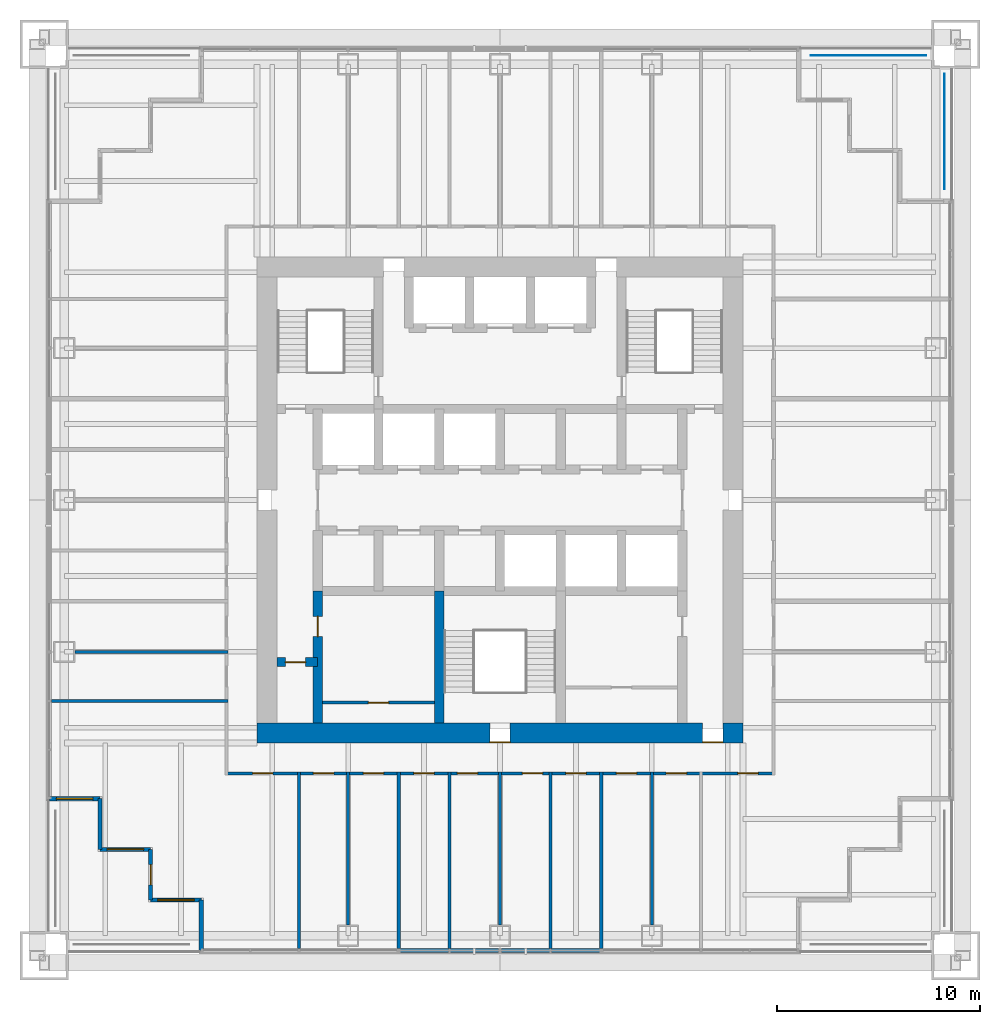
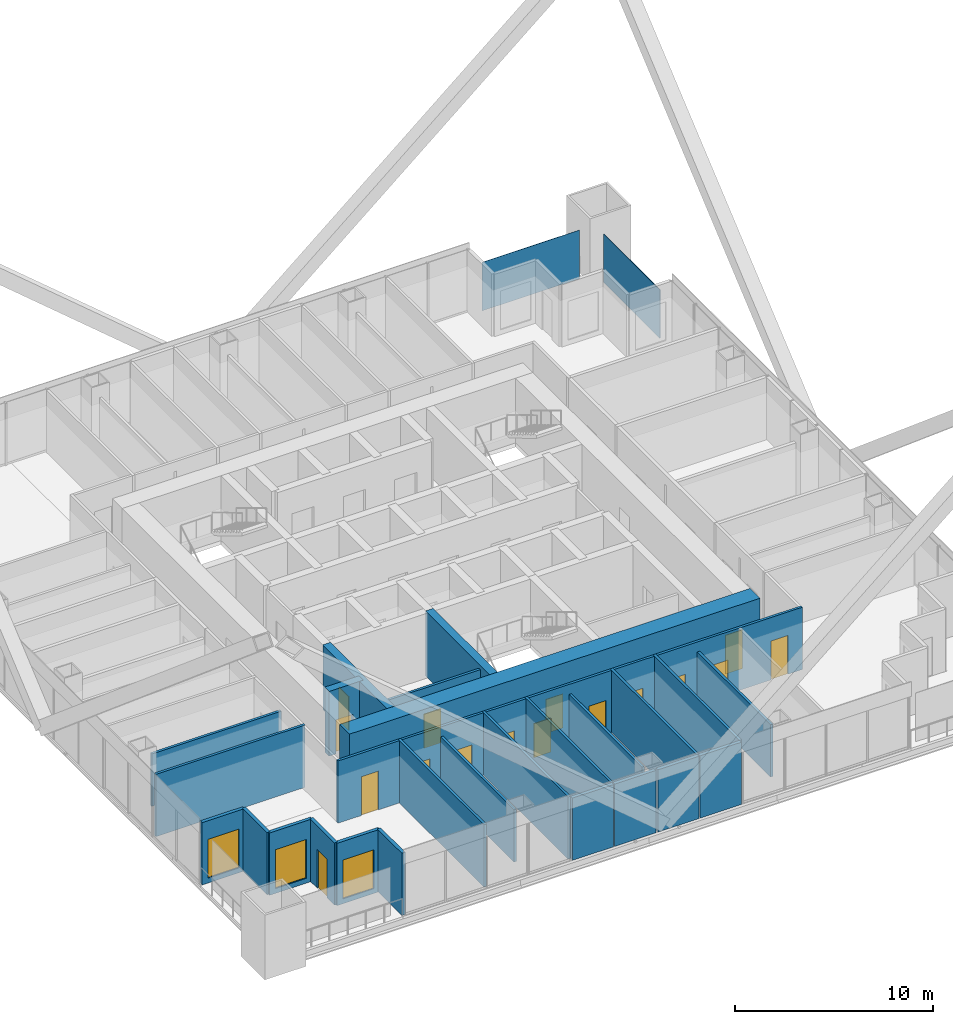
# One storey, part 11 of 17: 26 walls, 16 doors, 3 windows, 2 plates, 19 openings.
"""IFC4 building model written with IfcOpenShell, lengths in metres."""

from ifc_helpers import new_model, si_unit, direction, frame, frame_2d, origin, origin_2d, place, context, subcontext, project, spatial, rectangle, extrude, material, layer, layer_set, type_object, element, fill, save


model = new_model("IFC4")

# Units and contexts
model_context = context("Model", 3, precision=1e-05, world=origin(), true_north=direction((0.0, 1.0)))
body_context = subcontext(model_context, "Body", "Model", "MODEL_VIEW")
ifc_project = project(units=[si_unit("LENGTHUNIT", "METRE"), si_unit("AREAUNIT", "SQUARE_METRE"), si_unit("VOLUMEUNIT", "CUBIC_METRE"), si_unit("PLANEANGLEUNIT", "RADIAN"), si_unit("MASSUNIT", "GRAM", prefix="KILO")], contexts=[model_context])

# Site, building, storey
site_placement = place(None, origin())
site = spatial("IfcSite", under=ifc_project, at=site_placement, CompositionType="ELEMENT")
building_placement = place(site_placement, origin())
building = spatial("IfcBuilding", under=site, at=building_placement, Name="Tarangal Relay Tower", CompositionType="ELEMENT")
storey_placement = place(building_placement, frame((0.0, 0.0, 233.89990234375)))
storey = spatial("IfcBuildingStorey", under=building, at=storey_placement, Name="L50", CompositionType="ELEMENT", Elevation=233.89990234375)

# Plates
ifc_material_1 = material(Name="Black stainless steel cable trellis with climbing planting", Category="steel")
ifc_layer_1 = layer(ifc_material_1, 0.030029296875)
ifc_layer_set_1 = layer_set([ifc_layer_1], Name="Planted trellis screen")
plate_type_1 = type_object("IfcPlateType", Name="Planted trellis screen", PredefinedType="SHEET", material=ifc_layer_set_1)
plate_1_placement = place(storey_placement, frame((21.949951171875, 18.199951171875, 0.0), z_axis=(0.0, 0.0, 1.0), x_axis=(0.0, -1.0, 0.0)))
element("IfcPlate", 1, at=plate_1_placement, inside=storey, type_object=plate_type_1, Name="Planted trellis SC2 NE L50", PredefinedType="SHEET", context=body_context, shape_type="SweptSolid", body=[
    extrude(rectangle(XDim=5.699951171875, YDim=0.030029296875, at=origin_2d()), origin(), (0.0, 0.0, 1.0), 3.0),
])
ifc_material_2 = material(Name="Perforated black aluminium screen", Category="aluminium")
ifc_layer_2 = layer(ifc_material_2, 0.02001953125)
ifc_layer_set_2 = layer_set([ifc_layer_2], Name="Terrace screen panel")
plate_type_2 = type_object("IfcPlateType", Name="Terrace screen panel", PredefinedType="SHEET", material=ifc_layer_set_2)
plate_2_placement = place(storey_placement, frame((18.199951171875, 21.949951171875, 0.0), z_axis=(0.0, 0.0, 1.0), x_axis=(1.0, 0.0, 0.0)))
element("IfcPlate", 2, at=plate_2_placement, inside=storey, type_object=plate_type_2, Name="Terrace screen SC1 NE L50", PredefinedType="SHEET", context=body_context, shape_type="SweptSolid", body=[
    extrude(rectangle(XDim=5.699951171875, YDim=0.02001953125, at=origin_2d()), origin(), (0.0, 0.0, 1.0), 3.0),
])

# Wall, opening, door
ifc_material_3 = material(Name="Concrete fc' 60 MPa", Category="concrete")
ifc_layer_3 = layer(ifc_material_3, 0.449951171875)
ifc_layer_set_3 = layer_set([ifc_layer_3], Name="Core inner wall 450")
wall_type_1 = type_object("IfcWallType", Name="Core inner wall 450", PredefinedType="SHEAR", material=ifc_layer_set_3)
wall_1_placement = place(storey_placement, frame((-11.0, -8.0, 0.0), z_axis=(0.0, 0.0, 1.0), x_axis=(1.0, 0.0, 0.0)))
wall_1 = element("IfcWall", 3, at=wall_1_placement, inside=storey, type_object=wall_type_1, Name="Core wall YM8 L50", PredefinedType="SHEAR", context=body_context, shape_type="SweptSolid", body=[
    extrude(rectangle(XDim=2.0, YDim=0.449951171875, at=frame_2d((1.0, 0.0))), origin(), (0.0, 0.0, 1.0), 4.0),
])
opening_1_placement = place(wall_1_placement, frame((0.39990234375, 0.0, 0.0)))
opening_1 = element("IfcOpeningElement", 4, at=opening_1_placement, cuts=wall_1, Name="Opening D1", PredefinedType="OPENING", context=body_context, shape_type="SweptSolid", body=[
    extrude(rectangle(XDim=1.0, YDim=2.10009765625, at=frame_2d((0.5, 1.050048828125))), frame((0.0, 0.23486328125, 0.0), z_axis=(0.0, -1.0, 0.0), x_axis=(1.0, 0.0, 0.0)), (0.0, 0.0, 1.0), 0.469970703125),
])
ifc_material_4 = material(Name="Hardwood door", Category="wood")
door_type_1 = type_object("IfcDoorType", Name="WC door 1000 x 2100", OperationType="SINGLE_SWING_LEFT", PredefinedType="DOOR", material=ifc_material_4)
door_1_placement = place(opening_1_placement, origin())
door_1 = element("IfcDoor", 5, at=door_1_placement, inside=storey, type_object=door_type_1, Name="Accessible WC door L50", OperationType="SINGLE_SWING_LEFT", OverallHeight=2.10009765625, OverallWidth=1.0, PredefinedType="DOOR", context=body_context, shape_type="SweptSolid", body=[
    extrude(rectangle(XDim=1.0, YDim=2.10009765625, at=frame_2d((0.5, 1.050048828125))), frame((0.0, 0.02490234375, 0.0), z_axis=(0.0, -1.0, 0.0), x_axis=(1.0, 0.0, 0.0)), (0.0, 0.0, 1.0), 0.050048828125),
])
fill(opening_1, door_1)

wall_2_placement = place(storey_placement, frame((-9.0, -11.0, 0.0), z_axis=(0.0, 0.0, 1.0), x_axis=(0.0, 1.0, 0.0)))
wall_2 = element("IfcWall", 6, at=wall_2_placement, inside=storey, type_object=wall_type_1, Name="Core wall XM9W L50", PredefinedType="SHEAR", context=body_context, shape_type="SweptSolid", body=[
    extrude(rectangle(XDim=6.5, YDim=0.449951171875, at=frame_2d((3.25, 0.0))), origin(), (0.0, 0.0, 1.0), 4.0),
])
opening_2_placement = place(wall_2_placement, frame((4.25, 0.0, 0.0)))
opening_2 = element("IfcOpeningElement", 7, at=opening_2_placement, cuts=wall_2, Name="Opening D1", PredefinedType="OPENING", context=body_context, shape_type="SweptSolid", body=[
    extrude(rectangle(XDim=1.0, YDim=2.10009765625, at=frame_2d((0.5, 1.050048828125))), frame((0.0, 0.23486328125, 0.0), z_axis=(0.0, -1.0, 0.0), x_axis=(1.0, 0.0, 0.0)), (0.0, 0.0, 1.0), 0.469970703125),
])
door_2_placement = place(opening_2_placement, origin())
door_2 = element("IfcDoor", 8, at=door_2_placement, inside=storey, type_object=door_type_1, Name="Male WC door L50", OperationType="SINGLE_SWING_LEFT", OverallHeight=2.10009765625, OverallWidth=1.0, PredefinedType="DOOR", context=body_context, shape_type="SweptSolid", body=[
    extrude(rectangle(XDim=1.0, YDim=2.10009765625, at=frame_2d((0.5, 1.050048828125))), frame((0.0, 0.02490234375, 0.0), z_axis=(0.0, -1.0, 0.0), x_axis=(1.0, 0.0, 0.0)), (0.0, 0.0, 1.0), 0.050048828125),
])
fill(opening_2, door_2)

# Wall
wall_3_placement = place(storey_placement, frame((-3.0, -11.0, 0.0), z_axis=(0.0, 0.0, 1.0), x_axis=(0.0, 1.0, 0.0)))
element("IfcWall", 9, at=wall_3_placement, inside=storey, type_object=wall_type_1, Name="Core wall XM3W L50", PredefinedType="SHEAR", context=body_context, shape_type="SweptSolid", body=[
    extrude(rectangle(XDim=6.5, YDim=0.449951171875, at=frame_2d((3.25, 0.0))), origin(), (0.0, 0.0, 1.0), 4.0),
])

# Wall, openings, doors
ifc_layer_4 = layer(ifc_material_3, 1.0)
ifc_layer_set_4 = layer_set([ifc_layer_4], Name="Core wall 1000")
wall_type_2 = type_object("IfcWallType", Name="Core wall 1000", PredefinedType="SHEAR", material=ifc_layer_set_4)
wall_4_placement = place(storey_placement, frame((12.0, -11.5, 0.0), z_axis=(0.0, 0.0, 1.0), x_axis=(-1.0, 0.0, 0.0)))
wall_4 = element("IfcWall", 10, at=wall_4_placement, inside=storey, type_object=wall_type_2, Name="Core wall S L50", PredefinedType="SHEAR", context=body_context, shape_type="SweptSolid", body=[
    extrude(rectangle(XDim=24.0, YDim=1.0, at=frame_2d((12.0, 0.0))), origin(), (0.0, 0.0, 1.0), 4.0),
])
opening_3_placement = place(wall_4_placement, frame((11.5, 0.0, 0.0)))
opening_3 = element("IfcOpeningElement", 11, at=opening_3_placement, cuts=wall_4, Name="Opening FD1", PredefinedType="OPENING", context=body_context, shape_type="SweptSolid", body=[
    extrude(rectangle(XDim=1.0, YDim=2.10009765625, at=frame_2d((0.5, 1.050048828125))), frame((0.0, 0.510009765625, 0.0), z_axis=(0.0, -1.0, 0.0), x_axis=(1.0, 0.0, 0.0)), (0.0, 0.0, 1.0), 1.02001953125),
])
opening_4_placement = place(wall_4_placement, frame((1.0, 0.0, 0.0)))
opening_4 = element("IfcOpeningElement", 12, at=opening_4_placement, cuts=wall_4, Name="Opening FD3", PredefinedType="OPENING", context=body_context, shape_type="SweptSolid", body=[
    extrude(rectangle(XDim=1.0, YDim=2.39990234375, at=frame_2d((0.5, 1.199951171875))), frame((0.0, 0.510009765625, 0.0), z_axis=(0.0, -1.0, 0.0), x_axis=(1.0, 0.0, 0.0)), (0.0, 0.0, 1.0), 1.02001953125),
])
ifc_material_5 = material(Name="Steel door with hardwood frame", Category="steel")
door_type_2 = type_object("IfcDoorType", Name="Fire door 1000 x 2100", OperationType="SINGLE_SWING_LEFT", PredefinedType="DOOR", material=ifc_material_5)
door_3_placement = place(opening_3_placement, origin())
door_3 = element("IfcDoor", 13, at=door_3_placement, inside=storey, type_object=door_type_2, Name="Stair ST-C door L50", OperationType="SINGLE_SWING_LEFT", OverallHeight=2.10009765625, OverallWidth=1.0, PredefinedType="DOOR", context=body_context, shape_type="SweptSolid", body=[
    extrude(rectangle(XDim=1.0, YDim=2.10009765625, at=frame_2d((0.5, 1.050048828125))), frame((0.0, 0.48486328125, 0.0), z_axis=(0.0, -1.0, 0.0), x_axis=(1.0, 0.0, 0.0)), (0.0, 0.0, 1.0), 0.050048828125),
])
fill(opening_3, door_3)
door_type_3 = type_object("IfcDoorType", Name="Fire door 1000 x 2400 core entry", OperationType="SINGLE_SWING_RIGHT", PredefinedType="DOOR", material=ifc_material_5)
door_4_placement = place(opening_4_placement, origin())
door_4 = element("IfcDoor", 14, at=door_4_placement, inside=storey, type_object=door_type_3, Name="Core entry door south east L50", OperationType="SINGLE_SWING_RIGHT", OverallHeight=2.39990234375, OverallWidth=1.0, PredefinedType="DOOR", context=body_context, shape_type="SweptSolid", body=[
    extrude(rectangle(XDim=1.0, YDim=2.39990234375, at=frame_2d((0.5, 1.199951171875))), frame((0.0, 0.48486328125, 0.0), z_axis=(0.0, -1.0, 0.0), x_axis=(1.0, 0.0, 0.0)), (0.0, 0.0, 1.0), 0.050048828125),
])
fill(opening_4, door_4)

# Wall
ifc_material_6 = material(Name="Black metal clad insulated wall", Category="steel")
ifc_layer_5 = layer(ifc_material_6, 0.199951171875)
ifc_layer_set_5 = layer_set([ifc_layer_5], Name="Corner wall metal clad 200")
wall_type_3 = type_object("IfcWallType", Name="Corner wall metal clad 200", PredefinedType="SOLIDWALL", material=ifc_layer_set_5)
wall_5_placement = place(storey_placement, frame((-14.75, -22.25, 0.0), z_axis=(0.0, 0.0, 1.0), x_axis=(0.0, 1.0, 0.0)))
element("IfcWall", 15, at=wall_5_placement, inside=storey, type_object=wall_type_3, Name="Facade wall S facade L50", PredefinedType="SOLIDWALL", context=body_context, shape_type="SweptSolid", body=[
    extrude(rectangle(XDim=2.5, YDim=0.199951171875, at=frame_2d((1.25, 0.0))), origin(), (0.0, 0.0, 1.0), 3.85009765625),
])

# Wall, opening, window
wall_6_placement = place(storey_placement, frame((-14.75, -19.75, 0.0), z_axis=(0.0, 0.0, 1.0), x_axis=(-1.0, 0.0, 0.0)))
wall_6 = element("IfcWall", 16, at=wall_6_placement, inside=storey, type_object=wall_type_3, Name="Facade wall S facade L50", PredefinedType="SOLIDWALL", context=body_context, shape_type="SweptSolid", body=[
    extrude(rectangle(XDim=2.5, YDim=0.199951171875, at=frame_2d((1.25, 0.0))), origin(), (0.0, 0.0, 1.0), 3.85009765625),
])
opening_5_placement = place(wall_6_placement, frame((0.35009765625, 0.0, 0.300048828125)))
opening_5 = element("IfcOpeningElement", 17, at=opening_5_placement, cuts=wall_6, Name="Opening WN2", PredefinedType="OPENING", context=body_context, shape_type="SweptSolid", body=[
    extrude(rectangle(XDim=1.800048828125, YDim=2.39990234375, at=frame_2d((0.89990234375, 1.199951171875))), frame((0.0, 0.10986328125, 0.0), z_axis=(0.0, -1.0, 0.0), x_axis=(1.0, 0.0, 0.0)), (0.0, 0.0, 1.0), 0.219970703125),
])
ifc_material_7 = material(Name="Dark tinted double glazing in black aluminium frame", Category="aluminium")
window_type = type_object("IfcWindowType", Name="Corner window 1800 x 2400", PartitioningType="SINGLE_PANEL", PredefinedType="WINDOW", material=ifc_material_7)
window_1_placement = place(opening_5_placement, origin())
window_1 = element("IfcWindow", 18, at=window_1_placement, inside=storey, type_object=window_type, Name="Corner window WN2 S facade L50", OverallHeight=2.39990234375, OverallWidth=1.800048828125, PartitioningType="SINGLE_PANEL", PredefinedType="WINDOW", context=body_context, shape_type="SweptSolid", body=[
    extrude(rectangle(XDim=1.800048828125, YDim=2.39990234375, at=frame_2d((0.89990234375, 1.199951171875))), frame((0.0, 0.030029296875, 0.0), z_axis=(0.0, -1.0, 0.0), x_axis=(1.0, 0.0, 0.0)), (0.0, 0.0, 1.0), 0.06005859375),
])
fill(opening_5, window_1)

# Wall, opening, door
wall_7_placement = place(storey_placement, frame((-17.25, -19.75, 0.0), z_axis=(0.0, 0.0, 1.0), x_axis=(0.0, 1.0, 0.0)))
wall_7 = element("IfcWall", 19, at=wall_7_placement, inside=storey, type_object=wall_type_3, Name="Facade wall S facade L50", PredefinedType="SOLIDWALL", context=body_context, shape_type="SweptSolid", body=[
    extrude(rectangle(XDim=2.5, YDim=0.199951171875, at=frame_2d((1.25, 0.0))), origin(), (0.0, 0.0, 1.0), 3.85009765625),
])
opening_6_placement = place(wall_7_placement, frame((0.75, 0.0, 0.0)))
opening_6 = element("IfcOpeningElement", 20, at=opening_6_placement, cuts=wall_7, Name="Opening TD1", PredefinedType="OPENING", context=body_context, shape_type="SweptSolid", body=[
    extrude(rectangle(XDim=1.0, YDim=2.39990234375, at=frame_2d((0.5, 1.199951171875))), frame((0.0, 0.10986328125, 0.0), z_axis=(0.0, -1.0, 0.0), x_axis=(1.0, 0.0, 0.0)), (0.0, 0.0, 1.0), 0.219970703125),
])
ifc_material_8 = material(Name="Aluminium glazed door", Category="aluminium")
door_type_4 = type_object("IfcDoorType", Name="Terrace door 1000 x 2400", OperationType="SINGLE_SWING_RIGHT", PredefinedType="DOOR", material=ifc_material_8)
door_5_placement = place(opening_6_placement, origin())
door_5 = element("IfcDoor", 21, at=door_5_placement, inside=storey, type_object=door_type_4, Name="Terrace door TD1 SW L50", OperationType="SINGLE_SWING_RIGHT", OverallHeight=2.39990234375, OverallWidth=1.0, PredefinedType="DOOR", context=body_context, shape_type="SweptSolid", body=[
    extrude(rectangle(XDim=1.0, YDim=2.39990234375, at=frame_2d((0.5, 1.199951171875))), frame((0.0, 0.02490234375, 0.0), z_axis=(0.0, -1.0, 0.0), x_axis=(1.0, 0.0, 0.0)), (0.0, 0.0, 1.0), 0.050048828125),
])
fill(opening_6, door_5)

# Wall, opening, window
wall_8_placement = place(storey_placement, frame((-17.25, -17.25, 0.0), z_axis=(0.0, 0.0, 1.0), x_axis=(-1.0, 0.0, 0.0)))
wall_8 = element("IfcWall", 22, at=wall_8_placement, inside=storey, type_object=wall_type_3, Name="Facade wall S facade L50", PredefinedType="SOLIDWALL", context=body_context, shape_type="SweptSolid", body=[
    extrude(rectangle(XDim=2.5, YDim=0.199951171875, at=frame_2d((1.25, 0.0))), origin(), (0.0, 0.0, 1.0), 3.85009765625),
])
opening_7_placement = place(wall_8_placement, frame((0.35009765625, 0.0, 0.300048828125)))
opening_7 = element("IfcOpeningElement", 23, at=opening_7_placement, cuts=wall_8, Name="Opening WN2", PredefinedType="OPENING", context=body_context, shape_type="SweptSolid", body=[
    extrude(rectangle(XDim=1.800048828125, YDim=2.39990234375, at=frame_2d((0.89990234375, 1.199951171875))), frame((0.0, 0.10986328125, 0.0), z_axis=(0.0, -1.0, 0.0), x_axis=(1.0, 0.0, 0.0)), (0.0, 0.0, 1.0), 0.219970703125),
])
window_2_placement = place(opening_7_placement, origin())
window_2 = element("IfcWindow", 24, at=window_2_placement, inside=storey, type_object=window_type, Name="Corner window WN2 S facade L50", OverallHeight=2.39990234375, OverallWidth=1.800048828125, PartitioningType="SINGLE_PANEL", PredefinedType="WINDOW", context=body_context, shape_type="SweptSolid", body=[
    extrude(rectangle(XDim=1.800048828125, YDim=2.39990234375, at=frame_2d((0.89990234375, 1.199951171875))), frame((0.0, 0.030029296875, 0.0), z_axis=(0.0, -1.0, 0.0), x_axis=(1.0, 0.0, 0.0)), (0.0, 0.0, 1.0), 0.06005859375),
])
fill(opening_7, window_2)

# Wall
wall_9_placement = place(storey_placement, frame((-19.75, -17.25, 0.0), z_axis=(0.0, 0.0, 1.0), x_axis=(0.0, 1.0, 0.0)))
element("IfcWall", 25, at=wall_9_placement, inside=storey, type_object=wall_type_3, Name="Facade wall S facade L50", PredefinedType="SOLIDWALL", context=body_context, shape_type="SweptSolid", body=[
    extrude(rectangle(XDim=2.5, YDim=0.199951171875, at=frame_2d((1.25, 0.0))), origin(), (0.0, 0.0, 1.0), 3.85009765625),
])

# Wall, opening, window
wall_10_placement = place(storey_placement, frame((-19.75, -14.75, 0.0), z_axis=(0.0, 0.0, 1.0), x_axis=(-1.0, 0.0, 0.0)))
wall_10 = element("IfcWall", 26, at=wall_10_placement, inside=storey, type_object=wall_type_3, Name="Facade wall S facade L50", PredefinedType="SOLIDWALL", context=body_context, shape_type="SweptSolid", body=[
    extrude(rectangle(XDim=2.5, YDim=0.199951171875, at=frame_2d((1.25, 0.0))), origin(), (0.0, 0.0, 1.0), 3.85009765625),
])
opening_8_placement = place(wall_10_placement, frame((0.35009765625, 0.0, 0.300048828125)))
opening_8 = element("IfcOpeningElement", 27, at=opening_8_placement, cuts=wall_10, Name="Opening WN2", PredefinedType="OPENING", context=body_context, shape_type="SweptSolid", body=[
    extrude(rectangle(XDim=1.800048828125, YDim=2.39990234375, at=frame_2d((0.89990234375, 1.199951171875))), frame((0.0, 0.10986328125, 0.0), z_axis=(0.0, -1.0, 0.0), x_axis=(1.0, 0.0, 0.0)), (0.0, 0.0, 1.0), 0.219970703125),
])
window_3_placement = place(opening_8_placement, origin())
window_3 = element("IfcWindow", 28, at=window_3_placement, inside=storey, type_object=window_type, Name="Corner window WN2 S facade L50", OverallHeight=2.39990234375, OverallWidth=1.800048828125, PartitioningType="SINGLE_PANEL", PredefinedType="WINDOW", context=body_context, shape_type="SweptSolid", body=[
    extrude(rectangle(XDim=1.800048828125, YDim=2.39990234375, at=frame_2d((0.89990234375, 1.199951171875))), frame((0.0, 0.030029296875, 0.0), z_axis=(0.0, -1.0, 0.0), x_axis=(1.0, 0.0, 0.0)), (0.0, 0.0, 1.0), 0.06005859375),
])
fill(opening_8, window_3)

# Walls
ifc_layer_6 = layer(ifc_material_6, 0.199951171875)
ifc_layer_set_6 = layer_set([ifc_layer_6], Name="Facade infill wall metal clad 200")
wall_type_4 = type_object("IfcWallType", Name="Facade infill wall metal clad 200", PredefinedType="SOLIDWALL", material=ifc_layer_set_6)
for number, where, z_axis, x_axis, name in (
    (29, (4.93505859375, -22.25, 0.0), (0.0, 0.0, 1.0), (-1.0, 0.0, 0.0), "Facade infill wall S facade L50 1.1"),
    (30, (2.467529296875, -22.25, 0.0), (0.0, 0.0, 1.0), (-1.0, 0.0, 0.0), "Facade infill wall S facade L50 2.1"),
    (31, (-0.06494140625, -22.25, 0.0), (0.0, 0.0, 1.0), (-1.0, 0.0, 0.0), "Facade infill wall S facade L50 1.1"),
    (32, (-2.532470703125, -22.25, 0.0), (0.0, 0.0, 1.0), (-1.0, 0.0, 0.0), "Facade infill wall S facade L50 2.1"),
):
    element("IfcWall", number, at=place(storey_placement, frame(where, z_axis=z_axis, x_axis=x_axis)), inside=storey, type_object=wall_type_4, Name=name, PredefinedType="SOLIDWALL", context=body_context, shape_type="SweptSolid", body=[
        extrude(rectangle(XDim=2.402587890625, YDim=0.199951171875, at=frame_2d((1.201171875, 0.0))), origin(), (0.0, 0.0, 1.0), 3.85009765625),
    ])

# Wall, openings, doors
ifc_material_9 = material(Name="Gypsum board on steel studs", Category="steel")
ifc_layer_7 = layer(ifc_material_9, 0.14990234375)
ifc_layer_set_7 = layer_set([ifc_layer_7], Name="Partition 150")
wall_type_5 = type_object("IfcWallType", Name="Partition 150", PredefinedType="PARTITIONING", material=ifc_layer_set_7)
wall_11_placement = place(storey_placement, frame((-13.574951171875, -13.5, 0.0), z_axis=(0.0, 0.0, 1.0), x_axis=(1.0, 0.0, 0.0)))
wall_11 = element("IfcWall", 33, at=wall_11_placement, inside=storey, type_object=wall_type_5, Name="Partition PT1 L50", PredefinedType="PARTITIONING", context=body_context, shape_type="SweptSolid", body=[
    extrude(rectangle(XDim=27.14990234375, YDim=0.14990234375, at=frame_2d((13.574951171875, 0.0))), origin(), (0.0, 0.0, 1.0), 3.85009765625),
])
opening_9_placement = place(wall_11_placement, frame((21.783447265625, 0.0, 0.0)))
opening_9 = element("IfcOpeningElement", 34, at=opening_9_placement, cuts=wall_11, Name="Opening D2", PredefinedType="OPENING", context=body_context, shape_type="SweptSolid", body=[
    extrude(rectangle(XDim=1.0, YDim=2.10009765625, at=frame_2d((0.5, 1.050048828125))), frame((0.0, 0.0849609375, 0.0), z_axis=(0.0, -1.0, 0.0), x_axis=(1.0, 0.0, 0.0)), (0.0, 0.0, 1.0), 0.169921875),
])
opening_10_placement = place(wall_11_placement, frame((19.324951171875, 0.0, 0.0)))
opening_10 = element("IfcOpeningElement", 35, at=opening_10_placement, cuts=wall_11, Name="Opening D2", PredefinedType="OPENING", context=body_context, shape_type="SweptSolid", body=[
    extrude(rectangle(XDim=1.0, YDim=2.10009765625, at=frame_2d((0.5, 1.050048828125))), frame((0.0, 0.0849609375, 0.0), z_axis=(0.0, -1.0, 0.0), x_axis=(1.0, 0.0, 0.0)), (0.0, 0.0, 1.0), 0.169921875),
])
opening_11_placement = place(wall_11_placement, frame((16.824951171875, 0.0, 0.0)))
opening_11 = element("IfcOpeningElement", 36, at=opening_11_placement, cuts=wall_11, Name="Opening D2", PredefinedType="OPENING", context=body_context, shape_type="SweptSolid", body=[
    extrude(rectangle(XDim=1.0, YDim=2.10009765625, at=frame_2d((0.5, 1.050048828125))), frame((0.0, 0.0849609375, 0.0), z_axis=(0.0, -1.0, 0.0), x_axis=(1.0, 0.0, 0.0)), (0.0, 0.0, 1.0), 0.169921875),
])
opening_12_placement = place(wall_11_placement, frame((14.675048828125, 0.0, 0.0)))
opening_12 = element("IfcOpeningElement", 37, at=opening_12_placement, cuts=wall_11, Name="Opening D2", PredefinedType="OPENING", context=body_context, shape_type="SweptSolid", body=[
    extrude(rectangle(XDim=1.0, YDim=2.10009765625, at=frame_2d((0.5, 1.050048828125))), frame((0.0, 0.0849609375, 0.0), z_axis=(0.0, -1.0, 0.0), x_axis=(1.0, 0.0, 0.0)), (0.0, 0.0, 1.0), 0.169921875),
])
opening_13_placement = place(wall_11_placement, frame((11.47509765625, 0.0, 0.0)))
opening_13 = element("IfcOpeningElement", 38, at=opening_13_placement, cuts=wall_11, Name="Opening D2", PredefinedType="OPENING", context=body_context, shape_type="SweptSolid", body=[
    extrude(rectangle(XDim=1.0, YDim=2.10009765625, at=frame_2d((0.5, 1.050048828125))), frame((0.0, 0.0849609375, 0.0), z_axis=(0.0, -1.0, 0.0), x_axis=(1.0, 0.0, 0.0)), (0.0, 0.0, 1.0), 0.169921875),
])
opening_14_placement = place(wall_11_placement, frame((9.324951171875, 0.0, 0.0)))
opening_14 = element("IfcOpeningElement", 39, at=opening_14_placement, cuts=wall_11, Name="Opening D2", PredefinedType="OPENING", context=body_context, shape_type="SweptSolid", body=[
    extrude(rectangle(XDim=1.0, YDim=2.10009765625, at=frame_2d((0.5, 1.050048828125))), frame((0.0, 0.0849609375, 0.0), z_axis=(0.0, -1.0, 0.0), x_axis=(1.0, 0.0, 0.0)), (0.0, 0.0, 1.0), 0.169921875),
])
opening_15_placement = place(wall_11_placement, frame((6.824951171875, 0.0, 0.0)))
opening_15 = element("IfcOpeningElement", 40, at=opening_15_placement, cuts=wall_11, Name="Opening D2", PredefinedType="OPENING", context=body_context, shape_type="SweptSolid", body=[
    extrude(rectangle(XDim=1.0, YDim=2.10009765625, at=frame_2d((0.5, 1.050048828125))), frame((0.0, 0.0849609375, 0.0), z_axis=(0.0, -1.0, 0.0), x_axis=(1.0, 0.0, 0.0)), (0.0, 0.0, 1.0), 0.169921875),
])
opening_16_placement = place(wall_11_placement, frame((4.366455078125, 0.0, 0.0)))
opening_16 = element("IfcOpeningElement", 41, at=opening_16_placement, cuts=wall_11, Name="Opening D2", PredefinedType="OPENING", context=body_context, shape_type="SweptSolid", body=[
    extrude(rectangle(XDim=1.0, YDim=2.10009765625, at=frame_2d((0.5, 1.050048828125))), frame((0.0, 0.0849609375, 0.0), z_axis=(0.0, -1.0, 0.0), x_axis=(1.0, 0.0, 0.0)), (0.0, 0.0, 1.0), 0.169921875),
])
opening_17_placement = place(wall_11_placement, frame((25.318359375, 0.0, 0.0)))
opening_17 = element("IfcOpeningElement", 42, at=opening_17_placement, cuts=wall_11, Name="Opening SD1", PredefinedType="OPENING", context=body_context, shape_type="SweptSolid", body=[
    extrude(rectangle(XDim=1.0, YDim=2.39990234375, at=frame_2d((0.5, 1.199951171875))), frame((0.0, 0.0849609375, 0.0), z_axis=(0.0, -1.0, 0.0), x_axis=(1.0, 0.0, 0.0)), (0.0, 0.0, 1.0), 0.169921875),
])
opening_18_placement = place(wall_11_placement, frame((1.366455078125, 0.0, 0.0)))
opening_18 = element("IfcOpeningElement", 43, at=opening_18_placement, cuts=wall_11, Name="Opening SD1", PredefinedType="OPENING", context=body_context, shape_type="SweptSolid", body=[
    extrude(rectangle(XDim=1.0, YDim=2.39990234375, at=frame_2d((0.5, 1.199951171875))), frame((0.0, 0.0849609375, 0.0), z_axis=(0.0, -1.0, 0.0), x_axis=(1.0, 0.0, 0.0)), (0.0, 0.0, 1.0), 0.169921875),
])
door_type_5 = type_object("IfcDoorType", Name="Door 1000 x 2100", OperationType="SINGLE_SWING_LEFT", PredefinedType="DOOR", material=ifc_material_4)
door_6_placement = place(opening_9_placement, origin())
door_6 = element("IfcDoor", 44, at=door_6_placement, inside=storey, type_object=door_type_5, Name="Door D2 to cellular office L50-15", OperationType="SINGLE_SWING_LEFT", OverallHeight=2.10009765625, OverallWidth=1.0, PredefinedType="DOOR", context=body_context, shape_type="SweptSolid", body=[
    extrude(rectangle(XDim=1.0, YDim=2.10009765625, at=frame_2d((0.5, 1.050048828125))), frame((0.0, 0.02490234375, 0.0), z_axis=(0.0, -1.0, 0.0), x_axis=(1.0, 0.0, 0.0)), (0.0, 0.0, 1.0), 0.050048828125),
])
fill(opening_9, door_6)
door_7_placement = place(opening_10_placement, origin())
door_7 = element("IfcDoor", 45, at=door_7_placement, inside=storey, type_object=door_type_5, Name="Door D2 to cellular office L50-16", OperationType="SINGLE_SWING_LEFT", OverallHeight=2.10009765625, OverallWidth=1.0, PredefinedType="DOOR", context=body_context, shape_type="SweptSolid", body=[
    extrude(rectangle(XDim=1.0, YDim=2.10009765625, at=frame_2d((0.5, 1.050048828125))), frame((0.0, 0.02490234375, 0.0), z_axis=(0.0, -1.0, 0.0), x_axis=(1.0, 0.0, 0.0)), (0.0, 0.0, 1.0), 0.050048828125),
])
fill(opening_10, door_7)
door_8_placement = place(opening_11_placement, origin())
door_8 = element("IfcDoor", 46, at=door_8_placement, inside=storey, type_object=door_type_5, Name="Door D2 to tea pantry L50-17", OperationType="SINGLE_SWING_LEFT", OverallHeight=2.10009765625, OverallWidth=1.0, PredefinedType="DOOR", context=body_context, shape_type="SweptSolid", body=[
    extrude(rectangle(XDim=1.0, YDim=2.10009765625, at=frame_2d((0.5, 1.050048828125))), frame((0.0, 0.02490234375, 0.0), z_axis=(0.0, -1.0, 0.0), x_axis=(1.0, 0.0, 0.0)), (0.0, 0.0, 1.0), 0.050048828125),
])
fill(opening_11, door_8)
door_9_placement = place(opening_12_placement, origin())
door_9 = element("IfcDoor", 47, at=door_9_placement, inside=storey, type_object=door_type_5, Name="Door D2 to print room L50-18", OperationType="SINGLE_SWING_LEFT", OverallHeight=2.10009765625, OverallWidth=1.0, PredefinedType="DOOR", context=body_context, shape_type="SweptSolid", body=[
    extrude(rectangle(XDim=1.0, YDim=2.10009765625, at=frame_2d((0.5, 1.050048828125))), frame((0.0, 0.02490234375, 0.0), z_axis=(0.0, -1.0, 0.0), x_axis=(1.0, 0.0, 0.0)), (0.0, 0.0, 1.0), 0.050048828125),
])
fill(opening_12, door_9)
door_10_placement = place(opening_13_placement, origin())
door_10 = element("IfcDoor", 48, at=door_10_placement, inside=storey, type_object=door_type_5, Name="Door D2 to team room L50-19", OperationType="SINGLE_SWING_LEFT", OverallHeight=2.10009765625, OverallWidth=1.0, PredefinedType="DOOR", context=body_context, shape_type="SweptSolid", body=[
    extrude(rectangle(XDim=1.0, YDim=2.10009765625, at=frame_2d((0.5, 1.050048828125))), frame((0.0, 0.02490234375, 0.0), z_axis=(0.0, -1.0, 0.0), x_axis=(1.0, 0.0, 0.0)), (0.0, 0.0, 1.0), 0.050048828125),
])
fill(opening_13, door_10)
door_11_placement = place(opening_14_placement, origin())
door_11 = element("IfcDoor", 49, at=door_11_placement, inside=storey, type_object=door_type_5, Name="Door D2 to cellular office L50-20", OperationType="SINGLE_SWING_LEFT", OverallHeight=2.10009765625, OverallWidth=1.0, PredefinedType="DOOR", context=body_context, shape_type="SweptSolid", body=[
    extrude(rectangle(XDim=1.0, YDim=2.10009765625, at=frame_2d((0.5, 1.050048828125))), frame((0.0, 0.02490234375, 0.0), z_axis=(0.0, -1.0, 0.0), x_axis=(1.0, 0.0, 0.0)), (0.0, 0.0, 1.0), 0.050048828125),
])
fill(opening_14, door_11)
door_12_placement = place(opening_15_placement, origin())
door_12 = element("IfcDoor", 50, at=door_12_placement, inside=storey, type_object=door_type_5, Name="Door D2 to cellular office L50-21", OperationType="SINGLE_SWING_LEFT", OverallHeight=2.10009765625, OverallWidth=1.0, PredefinedType="DOOR", context=body_context, shape_type="SweptSolid", body=[
    extrude(rectangle(XDim=1.0, YDim=2.10009765625, at=frame_2d((0.5, 1.050048828125))), frame((0.0, 0.02490234375, 0.0), z_axis=(0.0, -1.0, 0.0), x_axis=(1.0, 0.0, 0.0)), (0.0, 0.0, 1.0), 0.050048828125),
])
fill(opening_15, door_12)
door_13_placement = place(opening_16_placement, origin())
door_13 = element("IfcDoor", 51, at=door_13_placement, inside=storey, type_object=door_type_5, Name="Door D2 to cellular office L50-22", OperationType="SINGLE_SWING_LEFT", OverallHeight=2.10009765625, OverallWidth=1.0, PredefinedType="DOOR", context=body_context, shape_type="SweptSolid", body=[
    extrude(rectangle(XDim=1.0, YDim=2.10009765625, at=frame_2d((0.5, 1.050048828125))), frame((0.0, 0.02490234375, 0.0), z_axis=(0.0, -1.0, 0.0), x_axis=(1.0, 0.0, 0.0)), (0.0, 0.0, 1.0), 0.050048828125),
])
fill(opening_16, door_13)
door_type_6 = type_object("IfcDoorType", Name="Suite entrance door 1000 x 2400", OperationType="SINGLE_SWING_RIGHT", PredefinedType="DOOR", material=ifc_material_5)
door_14_placement = place(opening_17_placement, origin())
door_14 = element("IfcDoor", 52, at=door_14_placement, inside=storey, type_object=door_type_6, Name="Door SD1 to open plan office L50-32", OperationType="SINGLE_SWING_RIGHT", OverallHeight=2.39990234375, OverallWidth=1.0, PredefinedType="DOOR", context=body_context, shape_type="SweptSolid", body=[
    extrude(rectangle(XDim=1.0, YDim=2.39990234375, at=frame_2d((0.5, 1.199951171875))), frame((0.0, 0.02490234375, 0.0), z_axis=(0.0, -1.0, 0.0), x_axis=(1.0, 0.0, 0.0)), (0.0, 0.0, 1.0), 0.050048828125),
])
fill(opening_17, door_14)
door_15_placement = place(opening_18_placement, origin())
door_15 = element("IfcDoor", 53, at=door_15_placement, inside=storey, type_object=door_type_6, Name="Door SD1 to open plan office L50-33", OperationType="SINGLE_SWING_RIGHT", OverallHeight=2.39990234375, OverallWidth=1.0, PredefinedType="DOOR", context=body_context, shape_type="SweptSolid", body=[
    extrude(rectangle(XDim=1.0, YDim=2.39990234375, at=frame_2d((0.5, 1.199951171875))), frame((0.0, 0.02490234375, 0.0), z_axis=(0.0, -1.0, 0.0), x_axis=(1.0, 0.0, 0.0)), (0.0, 0.0, 1.0), 0.050048828125),
])
fill(opening_18, door_15)

# Walls
wall_12_placement = place(storey_placement, frame((-22.14990234375, -9.9169921875, 0.0), z_axis=(0.0, 0.0, 1.0), x_axis=(1.0, 0.0, 0.0)))
element("IfcWall", 54, at=wall_12_placement, inside=storey, type_object=wall_type_5, Name="Partition PT1 L50", PredefinedType="PARTITIONING", context=body_context, shape_type="SweptSolid", body=[
    extrude(rectangle(XDim=8.724853515625, YDim=0.14990234375, at=frame_2d((4.3623046875, 0.0))), origin(), (0.0, 0.0, 1.0), 3.85009765625),
])
wall_13_placement = place(storey_placement, frame((-20.989990234375, -7.5, 0.0), z_axis=(0.0, 0.0, 1.0), x_axis=(1.0, 0.0, 0.0)))
element("IfcWall", 55, at=wall_13_placement, inside=storey, type_object=wall_type_5, Name="Partition PT1 L50", PredefinedType="PARTITIONING", context=body_context, shape_type="SweptSolid", body=[
    extrude(rectangle(XDim=7.56494140625, YDim=0.14990234375, at=frame_2d((3.782470703125, 0.0))), origin(), (0.0, 0.0, 1.0), 3.238037109375),
])
wall_14_placement = place(storey_placement, frame((-9.9169921875, -22.14990234375, 0.0), z_axis=(0.0, 0.0, 1.0), x_axis=(0.0, 1.0, 0.0)))
element("IfcWall", 56, at=wall_14_placement, inside=storey, type_object=wall_type_5, Name="Partition PT1 L50", PredefinedType="PARTITIONING", context=body_context, shape_type="SweptSolid", body=[
    extrude(rectangle(XDim=8.724853515625, YDim=0.14990234375, at=frame_2d((4.3623046875, 0.0))), origin(), (0.0, 0.0, 1.0), 3.85009765625),
])
wall_15_placement = place(storey_placement, frame((-7.5, -20.989990234375, 0.0), z_axis=(0.0, 0.0, 1.0), x_axis=(0.0, 1.0, 0.0)))
element("IfcWall", 57, at=wall_15_placement, inside=storey, type_object=wall_type_5, Name="Partition PT1 L50", PredefinedType="PARTITIONING", context=body_context, shape_type="SweptSolid", body=[
    extrude(rectangle(XDim=7.56494140625, YDim=0.14990234375, at=frame_2d((3.782470703125, 0.0))), origin(), (0.0, 0.0, 1.0), 3.238037109375),
])
for number, where, z_axis, x_axis, name in (
    (58, (-5.0, -22.14990234375, 0.0), (0.0, 0.0, 1.0), (0.0, 1.0, 0.0), "Partition PT1 L50"),
    (59, (-2.5, -22.14990234375, 0.0), (0.0, 0.0, 1.0), (0.0, 1.0, 0.0), "Partition PT1 L50"),
):
    element("IfcWall", number, at=place(storey_placement, frame(where, z_axis=z_axis, x_axis=x_axis)), inside=storey, type_object=wall_type_5, Name=name, PredefinedType="PARTITIONING", context=body_context, shape_type="SweptSolid", body=[
        extrude(rectangle(XDim=8.724853515625, YDim=0.14990234375, at=frame_2d((4.3623046875, 0.0))), origin(), (0.0, 0.0, 1.0), 3.85009765625),
    ])
wall_16_placement = place(storey_placement, frame((0.0, -20.989990234375, 0.0), z_axis=(0.0, 0.0, 1.0), x_axis=(0.0, 1.0, 0.0)))
element("IfcWall", 60, at=wall_16_placement, inside=storey, type_object=wall_type_5, Name="Partition PT1 L50", PredefinedType="PARTITIONING", context=body_context, shape_type="SweptSolid", body=[
    extrude(rectangle(XDim=7.56494140625, YDim=0.14990234375, at=frame_2d((3.782470703125, 0.0))), origin(), (0.0, 0.0, 1.0), 3.238037109375),
])
for number, where, z_axis, x_axis, name in (
    (61, (2.5, -22.14990234375, 0.0), (0.0, 0.0, 1.0), (0.0, 1.0, 0.0), "Partition PT1 L50"),
    (62, (5.0, -22.14990234375, 0.0), (0.0, 0.0, 1.0), (0.0, 1.0, 0.0), "Partition PT1 L50"),
):
    element("IfcWall", number, at=place(storey_placement, frame(where, z_axis=z_axis, x_axis=x_axis)), inside=storey, type_object=wall_type_5, Name=name, PredefinedType="PARTITIONING", context=body_context, shape_type="SweptSolid", body=[
        extrude(rectangle(XDim=8.724853515625, YDim=0.14990234375, at=frame_2d((4.3623046875, 0.0))), origin(), (0.0, 0.0, 1.0), 3.85009765625),
    ])
wall_17_placement = place(storey_placement, frame((7.5, -20.989990234375, 0.0), z_axis=(0.0, 0.0, 1.0), x_axis=(0.0, 1.0, 0.0)))
element("IfcWall", 63, at=wall_17_placement, inside=storey, type_object=wall_type_5, Name="Partition PT1 L50", PredefinedType="PARTITIONING", context=body_context, shape_type="SweptSolid", body=[
    extrude(rectangle(XDim=7.56494140625, YDim=0.14990234375, at=frame_2d((3.782470703125, 0.0))), origin(), (0.0, 0.0, 1.0), 3.238037109375),
])

# Wall, opening, door
wall_18_placement = place(storey_placement, frame((-8.77490234375, -10.0, 0.0), z_axis=(0.0, 0.0, 1.0), x_axis=(1.0, 0.0, 0.0)))
wall_18 = element("IfcWall", 64, at=wall_18_placement, inside=storey, type_object=wall_type_5, Name="Partition PT1 L50", PredefinedType="PARTITIONING", context=body_context, shape_type="SweptSolid", body=[
    extrude(rectangle(XDim=5.5498046875, YDim=0.14990234375, at=frame_2d((2.77490234375, 0.0))), origin(), (0.0, 0.0, 1.0), 3.75),
])
opening_19_placement = place(wall_18_placement, frame((2.27490234375, 0.0, 0.0)))
opening_19 = element("IfcOpeningElement", 65, at=opening_19_placement, cuts=wall_18, Name="Opening D1", PredefinedType="OPENING", context=body_context, shape_type="SweptSolid", body=[
    extrude(rectangle(XDim=1.0, YDim=2.10009765625, at=frame_2d((0.5, 1.050048828125))), frame((0.0, 0.0849609375, 0.0), z_axis=(0.0, -1.0, 0.0), x_axis=(1.0, 0.0, 0.0)), (0.0, 0.0, 1.0), 0.169921875),
])
door_16_placement = place(opening_19_placement, origin())
door_16 = element("IfcDoor", 66, at=door_16_placement, inside=storey, type_object=door_type_1, Name="Door D1 to male shower room L50-C7B", OperationType="SINGLE_SWING_LEFT", OverallHeight=2.10009765625, OverallWidth=1.0, PredefinedType="DOOR", context=body_context, shape_type="SweptSolid", body=[
    extrude(rectangle(XDim=1.0, YDim=2.10009765625, at=frame_2d((0.5, 1.050048828125))), frame((0.0, 0.02490234375, 0.0), z_axis=(0.0, -1.0, 0.0), x_axis=(1.0, 0.0, 0.0)), (0.0, 0.0, 1.0), 0.050048828125),
])
fill(opening_19, door_16)

save(model, "model.ifc")
